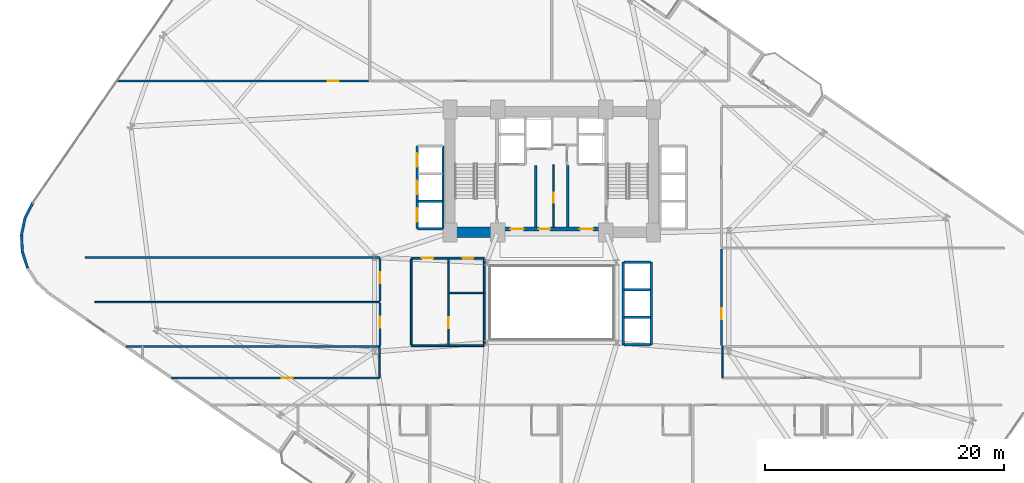
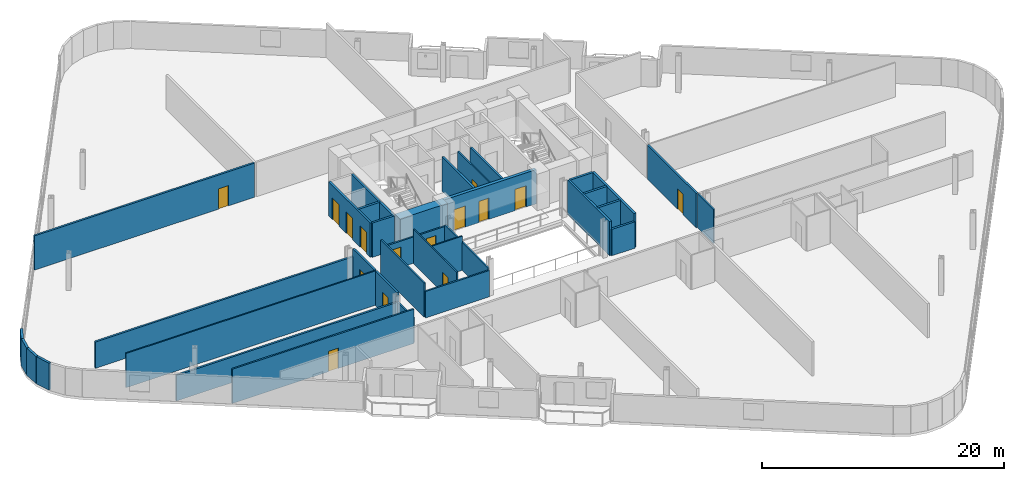
# One storey, part 18 of 24: 35 walls, 15 doors, 15 openings.
"""IFC4 building model written with IfcOpenShell, lengths in metres."""

from ifc_helpers import new_model, si_unit, direction, frame, frame_2d, origin, place, context, subcontext, project, spatial, rectangle, extrude, material, layer, layer_set, type_object, element, fill, save


model = new_model("IFC4")

# Units and contexts
model_context = context("Model", 3, precision=1e-05, world=origin(), true_north=direction((0.0, 1.0)))
body_context = subcontext(model_context, "Body", "Model", "MODEL_VIEW")
ifc_project = project(units=[si_unit("LENGTHUNIT", "METRE"), si_unit("AREAUNIT", "SQUARE_METRE"), si_unit("VOLUMEUNIT", "CUBIC_METRE"), si_unit("PLANEANGLEUNIT", "RADIAN"), si_unit("MASSUNIT", "GRAM", prefix="KILO")], contexts=[model_context])

# Site, building, storey
site_placement = place(None, origin())
site = spatial("IfcSite", under=ifc_project, at=site_placement, CompositionType="ELEMENT")
building_placement = place(site_placement, origin())
building = spatial("IfcBuilding", under=site, at=building_placement, Name="Varnelok Gate Tower", CompositionType="ELEMENT")
storey_placement = place(building_placement, frame((0.0, 0.0, 38.10009765625)))
storey = spatial("IfcBuildingStorey", under=building, at=storey_placement, Name="L08", CompositionType="ELEMENT", Elevation=38.10009765625)

# Walls
ifc_material_1 = material(Name="Concrete C45/55", Category="concrete")
ifc_layer_1 = layer(ifc_material_1, 0.219970703125)
ifc_layer_set_1 = layer_set([ifc_layer_1], Name="Concrete C45/55")
wall_type_1 = type_object("IfcWallType", Name="EW-BALC-220", PredefinedType="SOLIDWALL", material=ifc_layer_set_1)
wall_1_placement = place(storey_placement, frame((-4.158203125, 31.24462890625, 0.0), z_axis=(0.0, 0.0, 1.0), x_axis=(-0.454777156549, -0.890605264908, 0.0)))
element("IfcWall", 1, at=wall_1_placement, inside=storey, type_object=wall_type_1, Name="L08 Perimeter Facade Closure Wall 1", PredefinedType="SOLIDWALL", context=body_context, shape_type="SweptSolid", body=[
    extrude(rectangle(XDim=1.43017578125, YDim=0.219970703125, at=frame_2d((0.715087890625, 0.0))), origin(), (0.0, 0.0, 1.0), 2.72998046875),
])
for number, where, z_axis, x_axis, name in (
    (2, (-4.81396484375, 29.946533203125, 0.0), (0.0, 0.0, 1.0), (-0.208829011645, -0.977952168511, 0.0), "L08 Perimeter Facade Closure Wall 2"),
    (3, (-5.106201171875, 28.547119140625, 0.0), (0.0, 0.0, 1.0), (0.051254741739, -0.998685611917, 0.0), "L08 Perimeter Facade Closure Wall 3"),
    (4, (-5.026611328125, 27.1201171875, 0.0), (0.0, 0.0, 1.0), (0.308190297603, -0.95132472924, 0.0), "L08 Perimeter Facade Closure Wall 4"),
):
    element("IfcWall", number, at=place(storey_placement, frame(where, z_axis=z_axis, x_axis=x_axis)), inside=storey, type_object=wall_type_1, Name=name, PredefinedType="SOLIDWALL", context=body_context, shape_type="SweptSolid", body=[
        extrude(rectangle(XDim=1.4052734375, YDim=0.219970703125, at=frame_2d((0.70263671875, 0.0))), origin(), (0.0, 0.0, 1.0), 2.72998046875),
    ])

# Wall, opening, door
ifc_material_2 = material(Name="Gypsum Plasterboard Acoustic Partition", Category="gypsum")
ifc_layer_2 = layer(ifc_material_2, 0.179931640625)
ifc_layer_set_2 = layer_set([ifc_layer_2], Name="Gypsum Plasterboard Acoustic Partition")
wall_type_2 = type_object("IfcWallType", Name="PW-CORR-180", PredefinedType="PARTITIONING", material=ifc_layer_set_2)
wall_2_placement = place(storey_placement, frame((2.9208984375, 41.429931640625, 0.0), z_axis=(0.0, 0.0, 1.0), x_axis=(1.0, 0.0, 0.0)))
wall_2 = element("IfcWall", 5, at=wall_2_placement, inside=storey, type_object=wall_type_2, Name="Interior Partition", PredefinedType="PARTITIONING", context=body_context, shape_type="SweptSolid", body=[
    extrude(rectangle(XDim=20.9990234375, YDim=0.179931640625, at=frame_2d((10.49951171875, 0.0))), origin(), (0.0, 0.0, 1.0), 3.449951171875),
])
opening_1_placement = place(wall_2_placement, frame((17.55419921875, 0.0, 0.0)))
opening_1 = element("IfcOpeningElement", 6, at=opening_1_placement, cuts=wall_2, Name="Opening D-I2", PredefinedType="OPENING", context=body_context, shape_type="SweptSolid", body=[
    extrude(rectangle(XDim=0.949951171875, YDim=2.050048828125, at=frame_2d((0.47509765625, 1.02490234375))), frame((0.0, 0.099853515625, 0.0), z_axis=(0.0, -1.0, 0.0), x_axis=(1.0, 0.0, 0.0)), (0.0, 0.0, 1.0), 0.199951171875),
])
ifc_material_3 = material(Name="Engineered Hardwood Timber", Category="wood")
door_type_1 = type_object("IfcDoorType", Name="DR-INT-950", OperationType="NOTDEFINED", PredefinedType="DOOR", material=ifc_material_3)
door_1_placement = place(opening_1_placement, origin())
door_1 = element("IfcDoor", 7, at=door_1_placement, inside=storey, type_object=door_type_1, Name="L08 Executive Business Office 1 Door", OperationType="SINGLE_SWING_LEFT", OverallHeight=2.050048828125, OverallWidth=0.949951171875, PredefinedType="DOOR", context=body_context, shape_type="SweptSolid", body=[
    extrude(rectangle(XDim=0.949951171875, YDim=2.050048828125, at=frame_2d((0.47509765625, 1.02490234375))), frame((0.0, 0.02490234375, 0.0), z_axis=(0.0, -1.0, 0.0), x_axis=(1.0, 0.0, 0.0)), (0.0, 0.0, 1.0), 0.050048828125),
])
fill(opening_1, door_1)

wall_3_placement = place(storey_placement, frame((24.85009765625, 19.300048828125, 0.0), z_axis=(0.0, 0.0, 1.0), x_axis=(0.0, 1.0, 0.0)))
wall_3 = element("IfcWall", 8, at=wall_3_placement, inside=storey, type_object=wall_type_2, Name="Interior Partition", PredefinedType="PARTITIONING", context=body_context, shape_type="SweptSolid", body=[
    extrude(rectangle(XDim=3.570068359375, YDim=0.179931640625, at=frame_2d((1.78515625, 0.0))), origin(), (0.0, 0.0, 1.0), 3.449951171875),
])
opening_2_placement = place(wall_3_placement, frame((1.49951171875, 0.0, 0.0)))
opening_2 = element("IfcOpeningElement", 9, at=opening_2_placement, cuts=wall_3, Name="Opening D-I3", PredefinedType="OPENING", context=body_context, shape_type="SweptSolid", body=[
    extrude(rectangle(XDim=0.919921875, YDim=2.050048828125, at=frame_2d((0.4599609375, 1.02490234375))), frame((0.0, 0.099853515625, 0.0), z_axis=(0.0, -1.0, 0.0), x_axis=(1.0, 0.0, 0.0)), (0.0, 0.0, 1.0), 0.199951171875),
])
door_type_2 = type_object("IfcDoorType", Name="DR-INT-920", OperationType="NOTDEFINED", PredefinedType="DOOR", material=ifc_material_3)
door_2_placement = place(opening_2_placement, origin())
door_2 = element("IfcDoor", 10, at=door_2_placement, inside=storey, type_object=door_type_2, Name="L08 West Wing Room 1 Door", OperationType="SINGLE_SWING_LEFT", OverallHeight=2.050048828125, OverallWidth=0.919921875, PredefinedType="DOOR", context=body_context, shape_type="SweptSolid", body=[
    extrude(rectangle(XDim=0.919921875, YDim=2.050048828125, at=frame_2d((0.4599609375, 1.02490234375))), frame((0.0, 0.02490234375, 0.0), z_axis=(0.0, -1.0, 0.0), x_axis=(1.0, 0.0, 0.0)), (0.0, 0.0, 1.0), 0.050048828125),
])
fill(opening_2, door_2)

wall_4_placement = place(storey_placement, frame((24.85009765625, 23.030029296875, 0.0), z_axis=(0.0, 0.0, 1.0), x_axis=(0.0, 1.0, 0.0)))
wall_4 = element("IfcWall", 11, at=wall_4_placement, inside=storey, type_object=wall_type_2, Name="Interior Partition", PredefinedType="PARTITIONING", context=body_context, shape_type="SweptSolid", body=[
    extrude(rectangle(XDim=3.570068359375, YDim=0.179931640625, at=frame_2d((1.78515625, 0.0))), origin(), (0.0, 0.0, 1.0), 3.449951171875),
])
opening_3_placement = place(wall_4_placement, frame((1.49951171875, 0.0, 0.0)))
opening_3 = element("IfcOpeningElement", 12, at=opening_3_placement, cuts=wall_4, Name="Opening D-I3", PredefinedType="OPENING", context=body_context, shape_type="SweptSolid", body=[
    extrude(rectangle(XDim=0.919921875, YDim=2.050048828125, at=frame_2d((0.4599609375, 1.02490234375))), frame((0.0, 0.099853515625, 0.0), z_axis=(0.0, -1.0, 0.0), x_axis=(1.0, 0.0, 0.0)), (0.0, 0.0, 1.0), 0.199951171875),
])
door_3_placement = place(opening_3_placement, origin())
door_3 = element("IfcDoor", 13, at=door_3_placement, inside=storey, type_object=door_type_2, Name="L08 West Wing Room 2 Door", OperationType="SINGLE_SWING_RIGHT", OverallHeight=2.050048828125, OverallWidth=0.919921875, PredefinedType="DOOR", context=body_context, shape_type="SweptSolid", body=[
    extrude(rectangle(XDim=0.919921875, YDim=2.050048828125, at=frame_2d((0.4599609375, 1.02490234375))), frame((0.0, 0.02490234375, 0.0), z_axis=(0.0, -1.0, 0.0), x_axis=(1.0, 0.0, 0.0)), (0.0, 0.0, 1.0), 0.050048828125),
])
fill(opening_3, door_3)

# Walls
wall_5_placement = place(storey_placement, frame((3.644775390625, 19.239990234375, 0.0), z_axis=(0.0, 0.0, 1.0), x_axis=(1.0, 0.0, 0.0)))
element("IfcWall", 14, at=wall_5_placement, inside=storey, type_object=wall_type_2, Name="Interior Partition", PredefinedType="PARTITIONING", context=body_context, shape_type="SweptSolid", body=[
    extrude(rectangle(XDim=21.205322265625, YDim=0.179931640625, at=frame_2d((10.6025390625, 0.0))), origin(), (0.0, 0.0, 1.0), 2.579833984375),
])
wall_6_placement = place(storey_placement, frame((0.199951171875, 26.659912109375, 0.0), z_axis=(0.0, 0.0, 1.0), x_axis=(1.0, 0.0, 0.0)))
element("IfcWall", 15, at=wall_6_placement, inside=storey, type_object=wall_type_2, Name="Interior Partition", PredefinedType="PARTITIONING", context=body_context, shape_type="SweptSolid", body=[
    extrude(rectangle(XDim=24.650146484375, YDim=0.179931640625, at=frame_2d((12.3251953125, 0.0))), origin(), (0.0, 0.0, 1.0), 2.661865234375),
])

# Wall, opening, door
wall_7_placement = place(storey_placement, frame((53.389892578125, 19.300048828125, 0.0), z_axis=(0.0, 0.0, 1.0), x_axis=(0.0, 1.0, 0.0)))
wall_7 = element("IfcWall", 16, at=wall_7_placement, inside=storey, type_object=wall_type_2, Name="Interior Partition", PredefinedType="PARTITIONING", context=body_context, shape_type="SweptSolid", body=[
    extrude(rectangle(XDim=8.070068359375, YDim=0.179931640625, at=frame_2d((4.03515625, 0.0))), origin(), (0.0, 0.0, 1.0), 3.449951171875),
])
opening_4_placement = place(wall_7_placement, frame((2.199951171875, 0.0, 0.0)))
opening_4 = element("IfcOpeningElement", 17, at=opening_4_placement, cuts=wall_7, Name="Opening D-I3", PredefinedType="OPENING", context=body_context, shape_type="SweptSolid", body=[
    extrude(rectangle(XDim=0.919921875, YDim=2.050048828125, at=frame_2d((0.4599609375, 1.02490234375))), frame((0.0, 0.099853515625, 0.0), z_axis=(0.0, -1.0, 0.0), x_axis=(1.0, 0.0, 0.0)), (0.0, 0.0, 1.0), 0.199951171875),
])
door_4_placement = place(opening_4_placement, origin())
door_4 = element("IfcDoor", 18, at=door_4_placement, inside=storey, type_object=door_type_2, Name="L08 East Suite 1 Door", OperationType="SINGLE_SWING_LEFT", OverallHeight=2.050048828125, OverallWidth=0.919921875, PredefinedType="DOOR", context=body_context, shape_type="SweptSolid", body=[
    extrude(rectangle(XDim=0.919921875, YDim=2.050048828125, at=frame_2d((0.4599609375, 1.02490234375))), frame((0.0, 0.02490234375, 0.0), z_axis=(0.0, -1.0, 0.0), x_axis=(1.0, 0.0, 0.0)), (0.0, 0.0, 1.0), 0.050048828125),
])
fill(opening_4, door_4)

# Walls
ifc_layer_3 = layer(ifc_material_2, 0.125)
ifc_layer_set_3 = layer_set([ifc_layer_3], Name="Gypsum Plasterboard Acoustic Partition")
wall_type_3 = type_object("IfcWallType", Name="PW-PART-125", PredefinedType="PARTITIONING", material=ifc_layer_set_3)
wall_8_placement = place(storey_placement, frame((24.800048828125, 16.610107421875, 0.0), z_axis=(0.0, 0.0, 1.0), x_axis=(0.0, 1.0, 0.0)))
element("IfcWall", 19, at=wall_8_placement, inside=storey, type_object=wall_type_3, Name="Interior Partition", PredefinedType="PARTITIONING", context=body_context, shape_type="SweptSolid", body=[
    extrude(rectangle(XDim=2.6298828125, YDim=0.125, at=frame_2d((1.31494140625, 0.0))), origin(), (0.0, 0.0, 1.0), 2.579833984375),
])
wall_9_placement = place(storey_placement, frame((53.449951171875, 16.610107421875, 0.0), z_axis=(0.0, 0.0, 1.0), x_axis=(0.0, 1.0, 0.0)))
element("IfcWall", 20, at=wall_9_placement, inside=storey, type_object=wall_type_3, Name="Interior Partition", PredefinedType="PARTITIONING", context=body_context, shape_type="SweptSolid", body=[
    extrude(rectangle(XDim=2.6298828125, YDim=0.125, at=frame_2d((1.31494140625, 0.0))), origin(), (0.0, 0.0, 1.0), 3.449951171875),
])
wall_10_placement = place(storey_placement, frame((1.0, 22.949951171875, 0.0), z_axis=(0.0, 0.0, 1.0), x_axis=(1.0, 0.0, 0.0)))
element("IfcWall", 21, at=wall_10_placement, inside=storey, type_object=wall_type_3, Name="Interior Partition", PredefinedType="PARTITIONING", context=body_context, shape_type="SweptSolid", body=[
    extrude(rectangle(XDim=23.85009765625, YDim=0.125, at=frame_2d((11.925048828125, 0.0))), origin(), (0.0, 0.0, 1.0), 3.449951171875),
])

# Wall, opening, door
wall_11_placement = place(storey_placement, frame((39.35009765625, 29.199951171875, 0.0), z_axis=(0.0, 0.0, 1.0), x_axis=(0.0, 1.0, 0.0)))
wall_11 = element("IfcWall", 22, at=wall_11_placement, inside=storey, type_object=wall_type_3, Name="Interior Partition", PredefinedType="PARTITIONING", context=body_context, shape_type="SweptSolid", body=[
    extrude(rectangle(XDim=5.219970703125, YDim=0.125, at=frame_2d((2.60986328125, 0.0))), origin(), (0.0, 0.0, 1.0), 3.449951171875),
])
opening_5_placement = place(wall_11_placement, frame((2.050048828125, 0.0, 0.0)))
opening_5 = element("IfcOpeningElement", 23, at=opening_5_placement, cuts=wall_11, Name="Opening D-RS", PredefinedType="OPENING", context=body_context, shape_type="SweptSolid", body=[
    extrude(rectangle(XDim=0.85009765625, YDim=2.050048828125, at=frame_2d((0.425048828125, 1.02490234375))), frame((0.0, 0.072509765625, 0.0), z_axis=(0.0, -1.0, 0.0), x_axis=(1.0, 0.0, 0.0)), (0.0, 0.0, 1.0), 0.14501953125),
])
ifc_material_4 = material(Name="Galvanized Steel Grade S350GD", Category="steel")
door_type_3 = type_object("IfcDoorType", Name="DR-RISER-850", OperationType="NOTDEFINED", PredefinedType="DOOR", material=ifc_material_4)
door_5_placement = place(opening_5_placement, origin())
door_5 = element("IfcDoor", 24, at=door_5_placement, inside=storey, type_object=door_type_3, Name="L08 Housekeeping Linen Door", OperationType="SINGLE_SWING_RIGHT", OverallHeight=2.050048828125, OverallWidth=0.85009765625, PredefinedType="DOOR", context=body_context, shape_type="SweptSolid", body=[
    extrude(rectangle(XDim=0.85009765625, YDim=2.050048828125, at=frame_2d((0.425048828125, 1.02490234375))), frame((0.0, 0.02490234375, 0.0), z_axis=(0.0, -1.0, 0.0), x_axis=(1.0, 0.0, 0.0)), (0.0, 0.0, 1.0), 0.050048828125),
])
fill(opening_5, door_5)

wall_12_placement = place(storey_placement, frame((30.56005859375, 19.3798828125, 0.0), z_axis=(0.0, 0.0, 1.0), x_axis=(0.0, 1.0, 0.0)))
wall_12 = element("IfcWall", 25, at=wall_12_placement, inside=storey, type_object=wall_type_3, Name="Interior Partition", PredefinedType="PARTITIONING", context=body_context, shape_type="SweptSolid", body=[
    extrude(rectangle(XDim=7.16015625, YDim=0.125, at=frame_2d((3.580078125, 0.0))), origin(), (0.0, 0.0, 1.0), 3.449951171875),
])
opening_6_placement = place(wall_12_placement, frame((1.39990234375, 0.0, 0.0)))
opening_6 = element("IfcOpeningElement", 26, at=opening_6_placement, cuts=wall_12, Name="Opening D-I3", PredefinedType="OPENING", context=body_context, shape_type="SweptSolid", body=[
    extrude(rectangle(XDim=0.919921875, YDim=2.050048828125, at=frame_2d((0.4599609375, 1.02490234375))), frame((0.0, 0.072509765625, 0.0), z_axis=(0.0, -1.0, 0.0), x_axis=(1.0, 0.0, 0.0)), (0.0, 0.0, 1.0), 0.14501953125),
])
door_6_placement = place(opening_6_placement, origin())
door_6 = element("IfcDoor", 27, at=door_6_placement, inside=storey, type_object=door_type_2, Name="L08 Floor Linen Store Door", OperationType="SINGLE_SWING_RIGHT", OverallHeight=2.050048828125, OverallWidth=0.919921875, PredefinedType="DOOR", context=body_context, shape_type="SweptSolid", body=[
    extrude(rectangle(XDim=0.919921875, YDim=2.050048828125, at=frame_2d((0.4599609375, 1.02490234375))), frame((0.0, 0.02490234375, 0.0), z_axis=(0.0, -1.0, 0.0), x_axis=(1.0, 0.0, 0.0)), (0.0, 0.0, 1.0), 0.050048828125),
])
fill(opening_6, door_6)

# Wall
wall_13_placement = place(storey_placement, frame((30.639892578125, 23.7099609375, 0.0), z_axis=(0.0, 0.0, 1.0), x_axis=(1.0, 0.0, 0.0)))
element("IfcWall", 28, at=wall_13_placement, inside=storey, type_object=wall_type_3, Name="Interior Partition", PredefinedType="PARTITIONING", context=body_context, shape_type="SweptSolid", body=[
    extrude(rectangle(XDim=2.880126953125, YDim=0.125, at=frame_2d((1.43994140625, 0.0))), origin(), (0.0, 0.0, 1.0), 3.449951171875),
])

# Wall, opening, door
ifc_layer_4 = layer(ifc_material_2, 0.14990234375)
ifc_layer_set_4 = layer_set([ifc_layer_4], Name="Gypsum Plasterboard Acoustic Partition")
wall_type_4 = type_object("IfcWallType", Name="PW-PART-150", PredefinedType="PARTITIONING", material=ifc_layer_set_4)
wall_14_placement = place(storey_placement, frame((7.462890625, 16.610107421875, 0.0), z_axis=(0.0, 0.0, 1.0), x_axis=(1.0, 0.0, 0.0)))
wall_14 = element("IfcWall", 29, at=wall_14_placement, inside=storey, type_object=wall_type_4, Name="Interior Partition", PredefinedType="PARTITIONING", context=body_context, shape_type="SweptSolid", body=[
    extrude(rectangle(XDim=17.337158203125, YDim=0.14990234375, at=frame_2d((8.66845703125, 0.0))), origin(), (0.0, 0.0, 1.0), 3.449951171875),
])
opening_7_placement = place(wall_14_placement, frame((9.197265625, 0.0, 0.0)))
opening_7 = element("IfcOpeningElement", 30, at=opening_7_placement, cuts=wall_14, Name="Opening D-I3", PredefinedType="OPENING", context=body_context, shape_type="SweptSolid", body=[
    extrude(rectangle(XDim=0.919921875, YDim=2.050048828125, at=frame_2d((0.4599609375, 1.02490234375))), frame((0.0, 0.0849609375, 0.0), z_axis=(0.0, -1.0, 0.0), x_axis=(1.0, 0.0, 0.0)), (0.0, 0.0, 1.0), 0.169921875),
])
door_7_placement = place(opening_7_placement, origin())
door_7 = element("IfcDoor", 31, at=door_7_placement, inside=storey, type_object=door_type_2, Name="L08 Atrium Room 1 Door", OperationType="SINGLE_SWING_LEFT", OverallHeight=2.050048828125, OverallWidth=0.919921875, PredefinedType="DOOR", context=body_context, shape_type="SweptSolid", body=[
    extrude(rectangle(XDim=0.919921875, YDim=2.050048828125, at=frame_2d((0.4599609375, 1.02490234375))), frame((0.0, 0.02490234375, 0.0), z_axis=(0.0, -1.0, 0.0), x_axis=(1.0, 0.0, 0.0)), (0.0, 0.0, 1.0), 0.050048828125),
])
fill(opening_7, door_7)

# Wall, openings, doors
wall_15_placement = place(storey_placement, frame((27.4599609375, 26.6201171875, 0.0), z_axis=(0.0, 0.0, 1.0), x_axis=(1.0, 0.0, 0.0)))
wall_15 = element("IfcWall", 32, at=wall_15_placement, inside=storey, type_object=wall_type_4, Name="Interior Partition", PredefinedType="PARTITIONING", context=body_context, shape_type="SweptSolid", body=[
    extrude(rectangle(XDim=6.10009765625, YDim=0.14990234375, at=frame_2d((3.050048828125, 0.0))), origin(), (0.0, 0.0, 1.0), 2.661865234375),
])
opening_8_placement = place(wall_15_placement, frame((0.89990234375, 0.0, 0.0)))
opening_8 = element("IfcOpeningElement", 33, at=opening_8_placement, cuts=wall_15, Name="Opening D-I2", PredefinedType="OPENING", context=body_context, shape_type="SweptSolid", body=[
    extrude(rectangle(XDim=0.949951171875, YDim=2.050048828125, at=frame_2d((0.47509765625, 1.02490234375))), frame((0.0, 0.0849609375, 0.0), z_axis=(0.0, -1.0, 0.0), x_axis=(1.0, 0.0, 0.0)), (0.0, 0.0, 1.0), 0.169921875),
])
opening_9_placement = place(wall_15_placement, frame((4.302978515625, 0.0, 0.0)))
opening_9 = element("IfcOpeningElement", 34, at=opening_9_placement, cuts=wall_15, Name="Opening D-WC", PredefinedType="OPENING", context=body_context, shape_type="SweptSolid", body=[
    extrude(rectangle(XDim=0.89990234375, YDim=2.050048828125, at=frame_2d((0.449951171875, 1.02490234375))), frame((0.0, 0.0849609375, 0.0), z_axis=(0.0, -1.0, 0.0), x_axis=(1.0, 0.0, 0.0)), (0.0, 0.0, 1.0), 0.169921875),
])
door_type_4 = type_object("IfcDoorType", Name="DR-BATH-900", OperationType="NOTDEFINED", PredefinedType="DOOR", material=ifc_material_3)
door_8_placement = place(opening_9_placement, origin())
door_8 = element("IfcDoor", 35, at=door_8_placement, inside=storey, type_object=door_type_4, Name="L08 Accessible Floor WC Door", OperationType="SINGLE_SWING_LEFT", OverallHeight=2.050048828125, OverallWidth=0.89990234375, PredefinedType="DOOR", context=body_context, shape_type="SweptSolid", body=[
    extrude(rectangle(XDim=0.89990234375, YDim=2.050048828125, at=frame_2d((0.449951171875, 1.02490234375))), frame((0.0, 0.02490234375, 0.0), z_axis=(0.0, -1.0, 0.0), x_axis=(1.0, 0.0, 0.0)), (0.0, 0.0, 1.0), 0.050048828125),
])
fill(opening_9, door_8)
door_9_placement = place(opening_8_placement, origin())
door_9 = element("IfcDoor", 36, at=door_9_placement, inside=storey, type_object=door_type_1, Name="L08 Wellness Spa Lounge Door", OperationType="SINGLE_SWING_RIGHT", OverallHeight=2.050048828125, OverallWidth=0.949951171875, PredefinedType="DOOR", context=body_context, shape_type="SweptSolid", body=[
    extrude(rectangle(XDim=0.949951171875, YDim=2.050048828125, at=frame_2d((0.47509765625, 1.02490234375))), frame((0.0, 0.02490234375, 0.0), z_axis=(0.0, -1.0, 0.0), x_axis=(1.0, 0.0, 0.0)), (0.0, 0.0, 1.0), 0.050048828125),
])
fill(opening_8, door_9)

# Walls
wall_16_placement = place(storey_placement, frame((27.4599609375, 19.300048828125, 0.0), z_axis=(0.0, 0.0, 1.0), x_axis=(1.0, 0.0, 0.0)))
element("IfcWall", 37, at=wall_16_placement, inside=storey, type_object=wall_type_4, Name="Interior Partition", PredefinedType="PARTITIONING", context=body_context, shape_type="SweptSolid", body=[
    extrude(rectangle(XDim=6.10009765625, YDim=0.14990234375, at=frame_2d((3.050048828125, 0.0))), origin(), (0.0, 0.0, 1.0), 2.661865234375),
])
wall_17_placement = place(storey_placement, frame((27.4599609375, 19.3798828125, 0.0), z_axis=(0.0, 0.0, 1.0), x_axis=(0.0, 1.0, 0.0)))
element("IfcWall", 38, at=wall_17_placement, inside=storey, type_object=wall_type_4, Name="Interior Partition", PredefinedType="PARTITIONING", context=body_context, shape_type="SweptSolid", body=[
    extrude(rectangle(XDim=7.16015625, YDim=0.14990234375, at=frame_2d((3.580078125, 0.0))), origin(), (0.0, 0.0, 1.0), 3.449951171875),
])
wall_18_placement = place(storey_placement, frame((33.56005859375, 19.3798828125, 0.0), z_axis=(0.0, 0.0, 1.0), x_axis=(0.0, 1.0, 0.0)))
element("IfcWall", 39, at=wall_18_placement, inside=storey, type_object=wall_type_4, Name="Interior Partition", PredefinedType="PARTITIONING", context=body_context, shape_type="SweptSolid", body=[
    extrude(rectangle(XDim=7.16015625, YDim=0.14990234375, at=frame_2d((3.580078125, 0.0))), origin(), (0.0, 0.0, 1.0), 2.823974609375),
])
ifc_material_5 = material(Name="Concrete C35/45", Category="concrete")
ifc_layer_5 = layer(ifc_material_5, 0.199951171875)
ifc_layer_set_5 = layer_set([ifc_layer_5], Name="Concrete C35/45")
wall_type_5 = type_object("IfcWallType", Name="PW-SHAFT-200", PredefinedType="PARTITIONING", material=ifc_layer_set_5)
for number, where, z_axis, x_axis, name in (
    (40, (37.860107421875, 29.199951171875, 0.0), (0.0, 0.0, 1.0), (0.0, 1.0, 0.0), "L08 West FF Lobby Rated Wall"),
    (41, (40.5400390625, 29.199951171875, 0.0), (0.0, 0.0, 1.0), (0.0, 1.0, 0.0), "L08 East FF Lobby Rated Wall"),
):
    element("IfcWall", number, at=place(storey_placement, frame(where, z_axis=z_axis, x_axis=x_axis)), inside=storey, type_object=wall_type_5, Name=name, PredefinedType="PARTITIONING", context=body_context, shape_type="SweptSolid", body=[
        extrude(rectangle(XDim=5.179931640625, YDim=0.199951171875, at=frame_2d((2.58984375, 0.0))), origin(), (0.0, 0.0, 1.0), 3.449951171875),
    ])
wall_19_placement = place(storey_placement, frame((28.02001953125, 31.375, 0.0), z_axis=(0.0, 0.0, 1.0), x_axis=(1.0, 0.0, 0.0)))
element("IfcWall", 42, at=wall_19_placement, inside=storey, type_object=wall_type_5, Name="L08 PL1 Divider", PredefinedType="PARTITIONING", context=body_context, shape_type="SweptSolid", body=[
    extrude(rectangle(XDim=2.06005859375, YDim=0.199951171875, at=frame_2d((1.030029296875, 0.0))), origin(), (0.0, 0.0, 1.0), 3.449951171875),
])
wall_20_placement = place(storey_placement, frame((28.0, 29.080078125, 0.0), z_axis=(0.0, 0.0, 1.0), x_axis=(1.0, 0.0, 0.0)))
element("IfcWall", 43, at=wall_20_placement, inside=storey, type_object=wall_type_5, Name="L08 PL Bank South Wall", PredefinedType="PARTITIONING", context=body_context, shape_type="SweptSolid", body=[
    extrude(rectangle(XDim=2.10009765625, YDim=0.199951171875, at=frame_2d((1.050048828125, 0.0))), origin(), (0.0, 0.0, 1.0), 3.449951171875),
])
wall_21_placement = place(storey_placement, frame((30.1201171875, 29.080078125, 0.0), z_axis=(0.0, 0.0, 1.0), x_axis=(0.0, 1.0, 0.0)))
element("IfcWall", 44, at=wall_21_placement, inside=storey, type_object=wall_type_5, Name="L08 PL Bank Back Wall", PredefinedType="PARTITIONING", context=body_context, shape_type="SweptSolid", body=[
    extrude(rectangle(XDim=6.889892578125, YDim=0.199951171875, at=frame_2d((3.44482421875, 0.0))), origin(), (0.0, 0.0, 1.0), 3.449951171875),
])

# Wall, openings, doors
wall_22_placement = place(storey_placement, frame((27.9599609375, 29.080078125, 0.0), z_axis=(0.0, 0.0, 1.0), x_axis=(0.0, 1.0, 0.0)))
wall_22 = element("IfcWall", 45, at=wall_22_placement, inside=storey, type_object=wall_type_5, Name="L08 PL Bank Front Wall", PredefinedType="PARTITIONING", context=body_context, shape_type="SweptSolid", body=[
    extrude(rectangle(XDim=6.889892578125, YDim=0.199951171875, at=frame_2d((3.44482421875, 0.0))), origin(), (0.0, 0.0, 1.0), 3.449951171875),
])
opening_10_placement = place(wall_22_placement, frame((0.590087890625, 0.0, 0.0)))
opening_10 = element("IfcOpeningElement", 46, at=opening_10_placement, cuts=wall_22, Name="Opening LD-PL1", PredefinedType="OPENING", context=body_context, shape_type="SweptSolid", body=[
    extrude(rectangle(XDim=1.10009765625, YDim=2.14990234375, at=frame_2d((0.550048828125, 1.074951171875))), frame((0.0, 0.10986328125, 0.0), z_axis=(0.0, -1.0, 0.0), x_axis=(1.0, 0.0, 0.0)), (0.0, 0.0, 1.0), 0.219970703125),
])
opening_11_placement = place(wall_22_placement, frame((2.889892578125, 0.0, 0.0)))
opening_11 = element("IfcOpeningElement", 47, at=opening_11_placement, cuts=wall_22, Name="Opening LD-PL2", PredefinedType="OPENING", context=body_context, shape_type="SweptSolid", body=[
    extrude(rectangle(XDim=1.10009765625, YDim=2.14990234375, at=frame_2d((0.550048828125, 1.074951171875))), frame((0.0, 0.10986328125, 0.0), z_axis=(0.0, -1.0, 0.0), x_axis=(1.0, 0.0, 0.0)), (0.0, 0.0, 1.0), 0.219970703125),
])
opening_12_placement = place(wall_22_placement, frame((5.18994140625, 0.0, 0.0)))
opening_12 = element("IfcOpeningElement", 48, at=opening_12_placement, cuts=wall_22, Name="Opening LD-PL3", PredefinedType="OPENING", context=body_context, shape_type="SweptSolid", body=[
    extrude(rectangle(XDim=1.10009765625, YDim=2.14990234375, at=frame_2d((0.550048828125, 1.074951171875))), frame((0.0, 0.10986328125, 0.0), z_axis=(0.0, -1.0, 0.0), x_axis=(1.0, 0.0, 0.0)), (0.0, 0.0, 1.0), 0.219970703125),
])
door_type_5 = type_object("IfcDoorType", Name="DR-LIFT-PAX1100", OperationType="SLIDING_TO_LEFT", PredefinedType="DOOR", material=ifc_material_4)
door_10_placement = place(opening_10_placement, origin())
door_10 = element("IfcDoor", 49, at=door_10_placement, inside=storey, type_object=door_type_5, Name="L08 Passenger Lift Landing Door LD-PL1", OperationType="SLIDING_TO_LEFT", OverallHeight=2.14990234375, OverallWidth=1.10009765625, PredefinedType="DOOR", context=body_context, shape_type="SweptSolid", body=[
    extrude(rectangle(XDim=1.10009765625, YDim=2.14990234375, at=frame_2d((0.550048828125, 1.074951171875))), frame((0.0, 0.02490234375, 0.0), z_axis=(0.0, -1.0, 0.0), x_axis=(1.0, 0.0, 0.0)), (0.0, 0.0, 1.0), 0.050048828125),
])
fill(opening_10, door_10)
door_11_placement = place(opening_11_placement, origin())
door_11 = element("IfcDoor", 50, at=door_11_placement, inside=storey, type_object=door_type_5, Name="L08 Passenger Lift Landing Door LD-PL2", OperationType="SLIDING_TO_LEFT", OverallHeight=2.14990234375, OverallWidth=1.10009765625, PredefinedType="DOOR", context=body_context, shape_type="SweptSolid", body=[
    extrude(rectangle(XDim=1.10009765625, YDim=2.14990234375, at=frame_2d((0.550048828125, 1.074951171875))), frame((0.0, 0.02490234375, 0.0), z_axis=(0.0, -1.0, 0.0), x_axis=(1.0, 0.0, 0.0)), (0.0, 0.0, 1.0), 0.050048828125),
])
fill(opening_11, door_11)
door_12_placement = place(opening_12_placement, origin())
door_12 = element("IfcDoor", 51, at=door_12_placement, inside=storey, type_object=door_type_5, Name="L08 Passenger Lift Landing Door LD-PL3", OperationType="SLIDING_TO_LEFT", OverallHeight=2.14990234375, OverallWidth=1.10009765625, PredefinedType="DOOR", context=body_context, shape_type="SweptSolid", body=[
    extrude(rectangle(XDim=1.10009765625, YDim=2.14990234375, at=frame_2d((0.550048828125, 1.074951171875))), frame((0.0, 0.02490234375, 0.0), z_axis=(0.0, -1.0, 0.0), x_axis=(1.0, 0.0, 0.0)), (0.0, 0.0, 1.0), 0.050048828125),
])
fill(opening_12, door_12)

# Walls
for number, where, z_axis, x_axis, name in (
    (52, (45.239990234375, 21.675048828125, 0.0), (0.0, 0.0, 1.0), (1.0, 0.0, 0.0), "L08 PH1 Divider"),
    (53, (45.239990234375, 23.97509765625, 0.0), (0.0, 0.0, 1.0), (1.0, 0.0, 0.0), "L08 PH2 Divider"),
):
    element("IfcWall", number, at=place(storey_placement, frame(where, z_axis=z_axis, x_axis=x_axis)), inside=storey, type_object=wall_type_5, Name=name, PredefinedType="PARTITIONING", context=body_context, shape_type="SweptSolid", body=[
        extrude(rectangle(XDim=2.219970703125, YDim=0.199951171875, at=frame_2d((1.10986328125, 0.0))), origin(), (0.0, 0.0, 1.0), 3.449951171875),
    ])
wall_23_placement = place(storey_placement, frame((45.239990234375, 19.3798828125, 0.0), z_axis=(0.0, 0.0, 1.0), x_axis=(1.0, 0.0, 0.0)))
element("IfcWall", 54, at=wall_23_placement, inside=storey, type_object=wall_type_5, Name="L08 PH Bank South Wall", PredefinedType="PARTITIONING", context=body_context, shape_type="SweptSolid", body=[
    extrude(rectangle(XDim=2.219970703125, YDim=0.199951171875, at=frame_2d((1.10986328125, 0.0))), origin(), (0.0, 0.0, 1.0), 2.661865234375),
])
wall_24_placement = place(storey_placement, frame((45.239990234375, 26.280029296875, 0.0), z_axis=(0.0, 0.0, 1.0), x_axis=(1.0, 0.0, 0.0)))
element("IfcWall", 55, at=wall_24_placement, inside=storey, type_object=wall_type_5, Name="L08 PH Bank North Wall", PredefinedType="PARTITIONING", context=body_context, shape_type="SweptSolid", body=[
    extrude(rectangle(XDim=2.219970703125, YDim=0.199951171875, at=frame_2d((1.10986328125, 0.0))), origin(), (0.0, 0.0, 1.0), 3.449951171875),
])
for number, where, z_axis, x_axis, name in (
    (56, (45.179931640625, 19.3798828125, 0.0), (0.0, 0.0, 1.0), (0.0, 1.0, 0.0), "L08 PH Bank Atrium Wall"),
    (57, (47.52001953125, 19.3798828125, 0.0), (0.0, 0.0, 1.0), (0.0, 1.0, 0.0), "L08 PH Bank Front Wall"),
):
    element("IfcWall", number, at=place(storey_placement, frame(where, z_axis=z_axis, x_axis=x_axis)), inside=storey, type_object=wall_type_5, Name=name, PredefinedType="PARTITIONING", context=body_context, shape_type="SweptSolid", body=[
        extrude(rectangle(XDim=6.900146484375, YDim=0.199951171875, at=frame_2d((3.4501953125, 0.0))), origin(), (0.0, 0.0, 1.0), 3.449951171875),
    ])
ifc_material_6 = material(Name="Concrete C70/85", Category="concrete")
ifc_layer_6 = layer(ifc_material_6, 0.85009765625)
ifc_layer_set_6 = layer_set([ifc_layer_6], Name="Concrete C70/85")
wall_type_6 = type_object("IfcWallType", Name="SW-CORE-850", PredefinedType="SHEAR", material=ifc_layer_set_6)
wall_25_placement = place(storey_placement, frame((30.280029296875, 28.77490234375, 0.0), z_axis=(0.0, 0.0, 1.0), x_axis=(1.0, 0.0, 0.0)))
element("IfcWall", 58, at=wall_25_placement, inside=storey, type_object=wall_type_6, Name="L08 Rear Core South-West Shear Wall", PredefinedType="SHEAR", context=body_context, shape_type="SweptSolid", body=[
    extrude(rectangle(XDim=4.52001953125, YDim=0.85009765625, at=frame_2d((2.260009765625, 0.0))), origin(), (0.0, 0.0, 1.0), 3.449951171875),
])

# Wall, openings, doors
ifc_material_7 = material(Name="Concrete C60/75", Category="concrete")
ifc_layer_7 = layer(ifc_material_7, 0.300048828125)
ifc_layer_set_7 = layer_set([ifc_layer_7], Name="Concrete C60/75")
wall_type_7 = type_object("IfcWallType", Name="SW-SHAFT-300", PredefinedType="SHEAR", material=ifc_layer_set_7)
wall_26_placement = place(storey_placement, frame((34.800048828125, 29.050048828125, 0.0), z_axis=(0.0, 0.0, 1.0), x_axis=(1.0, 0.0, 0.0)))
wall_26 = element("IfcWall", 59, at=wall_26_placement, inside=storey, type_object=wall_type_7, Name="L08 Rear Core Central Lobby Shear Wall", PredefinedType="SHEAR", context=body_context, shape_type="SweptSolid", body=[
    extrude(rectangle(XDim=8.800048828125, YDim=0.300048828125, at=frame_2d((4.39990234375, 0.0))), origin(), (0.0, 0.0, 1.0), 3.449951171875),
])
opening_13_placement = place(wall_26_placement, frame((0.949951171875, 0.0, 0.0)))
opening_13 = element("IfcOpeningElement", 60, at=opening_13_placement, cuts=wall_26, Name="Opening D-FF", PredefinedType="OPENING", context=body_context, shape_type="SweptSolid", body=[
    extrude(rectangle(XDim=1.10009765625, YDim=2.14990234375, at=frame_2d((0.550048828125, 1.074951171875))), frame((0.0, 0.159912109375, 0.0), z_axis=(0.0, -1.0, 0.0), x_axis=(1.0, 0.0, 0.0)), (0.0, 0.0, 1.0), 0.320068359375),
])
opening_14_placement = place(wall_26_placement, frame((6.75, 0.0, 0.0)))
opening_14 = element("IfcOpeningElement", 61, at=opening_14_placement, cuts=wall_26, Name="Opening D-FF", PredefinedType="OPENING", context=body_context, shape_type="SweptSolid", body=[
    extrude(rectangle(XDim=1.10009765625, YDim=2.14990234375, at=frame_2d((0.550048828125, 1.074951171875))), frame((0.0, 0.159912109375, 0.0), z_axis=(0.0, -1.0, 0.0), x_axis=(1.0, 0.0, 0.0)), (0.0, 0.0, 1.0), 0.320068359375),
])
opening_15_placement = place(wall_26_placement, frame((3.320068359375, 0.0, 0.0)))
opening_15 = element("IfcOpeningElement", 62, at=opening_15_placement, cuts=wall_26, Name="Opening D-CR", PredefinedType="OPENING", context=body_context, shape_type="SweptSolid", body=[
    extrude(rectangle(XDim=0.949951171875, YDim=2.14990234375, at=frame_2d((0.47509765625, 1.074951171875))), frame((0.0, 0.159912109375, 0.0), z_axis=(0.0, -1.0, 0.0), x_axis=(1.0, 0.0, 0.0)), (0.0, 0.0, 1.0), 0.320068359375),
])
door_type_6 = type_object("IfcDoorType", Name="DR-CORR-950", OperationType="NOTDEFINED", PredefinedType="DOOR", material=ifc_material_4)
door_13_placement = place(opening_15_placement, origin())
door_13 = element("IfcDoor", 63, at=door_13_placement, inside=storey, type_object=door_type_6, Name="L08 Core Service Passage Door", OperationType="SINGLE_SWING_LEFT", OverallHeight=2.14990234375, OverallWidth=0.949951171875, PredefinedType="DOOR", context=body_context, shape_type="SweptSolid", body=[
    extrude(rectangle(XDim=0.949951171875, YDim=2.14990234375, at=frame_2d((0.47509765625, 1.074951171875))), frame((0.0, 0.02490234375, 0.0), z_axis=(0.0, -1.0, 0.0), x_axis=(1.0, 0.0, 0.0)), (0.0, 0.0, 1.0), 0.050048828125),
])
fill(opening_15, door_13)
door_type_7 = type_object("IfcDoorType", Name="DR-FFLOB-1100", OperationType="NOTDEFINED", PredefinedType="DOOR", material=ifc_material_4)
door_14_placement = place(opening_13_placement, origin())
door_14 = element("IfcDoor", 64, at=door_14_placement, inside=storey, type_object=door_type_7, Name="L08 West Firefighting Lobby Fire Door", OperationType="SINGLE_SWING_RIGHT", OverallHeight=2.14990234375, OverallWidth=1.10009765625, PredefinedType="DOOR", context=body_context, shape_type="SweptSolid", body=[
    extrude(rectangle(XDim=1.10009765625, YDim=2.14990234375, at=frame_2d((0.550048828125, 1.074951171875))), frame((0.0, 0.02490234375, 0.0), z_axis=(0.0, -1.0, 0.0), x_axis=(1.0, 0.0, 0.0)), (0.0, 0.0, 1.0), 0.050048828125),
])
fill(opening_13, door_14)
door_15_placement = place(opening_14_placement, origin())
door_15 = element("IfcDoor", 65, at=door_15_placement, inside=storey, type_object=door_type_7, Name="L08 East Firefighting Lobby Fire Door", OperationType="SINGLE_SWING_LEFT", OverallHeight=2.14990234375, OverallWidth=1.10009765625, PredefinedType="DOOR", context=body_context, shape_type="SweptSolid", body=[
    extrude(rectangle(XDim=1.10009765625, YDim=2.14990234375, at=frame_2d((0.550048828125, 1.074951171875))), frame((0.0, 0.02490234375, 0.0), z_axis=(0.0, -1.0, 0.0), x_axis=(1.0, 0.0, 0.0)), (0.0, 0.0, 1.0), 0.050048828125),
])
fill(opening_14, door_15)

save(model, "model.ifc")
